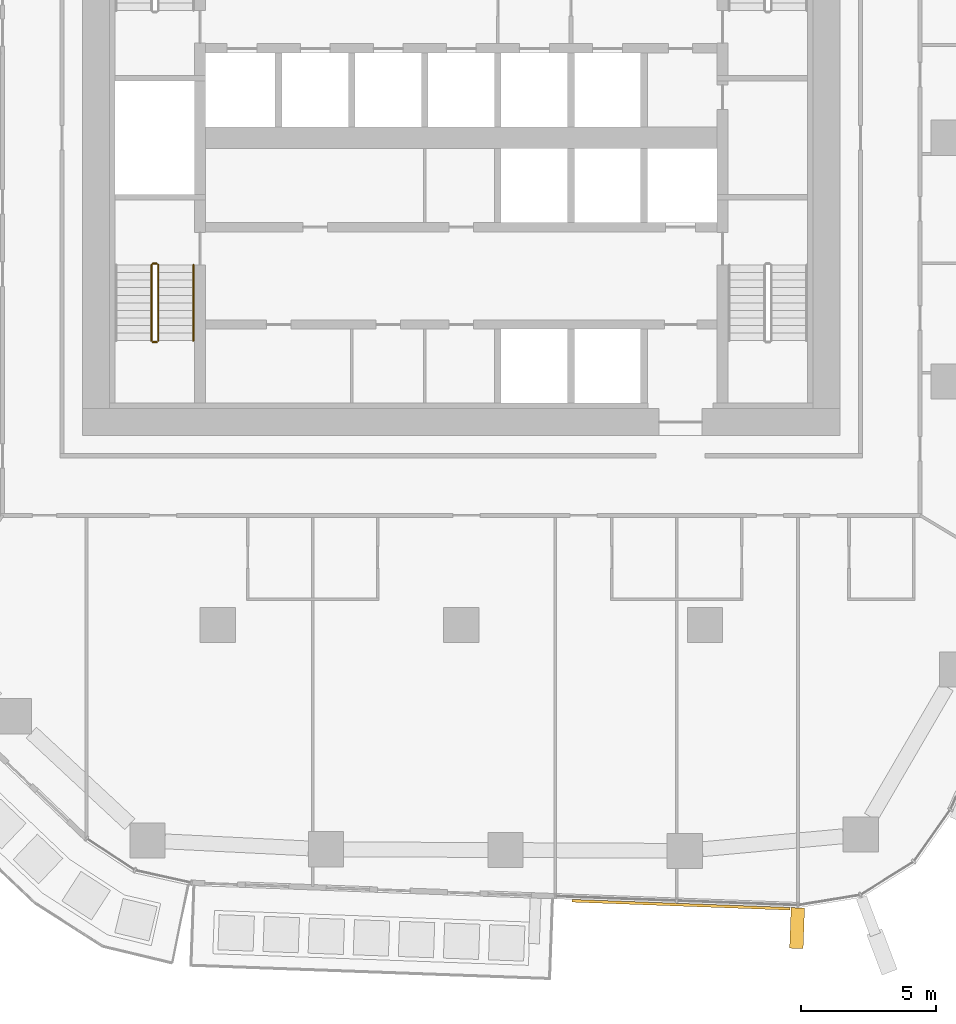
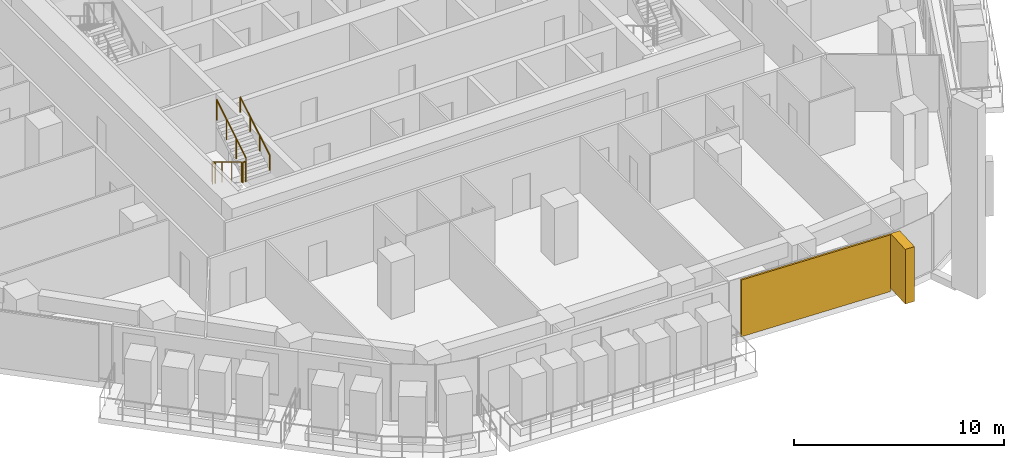
# One storey, part 20 of 24: 5 railings, 2 coverings, 1 element without a shape of its own.
"""IFC4 building model written with IfcOpenShell, lengths in metres."""

from ifc_helpers import new_model, si_unit, direction, frame, origin, origin_2d, place, context, subcontext, project, spatial, rectangle, circle, extrude, material, layer, layer_set, material_profile, profile_set, type_object, element, aggregate, save


model = new_model("IFC4")

# Units and contexts
model_context = context("Model", 3, precision=1e-05, world=origin(), true_north=direction((0.0, 1.0)))
body_context = subcontext(model_context, "Body", "Model", "MODEL_VIEW")
ifc_project = project(units=[si_unit("LENGTHUNIT", "METRE"), si_unit("AREAUNIT", "SQUARE_METRE"), si_unit("VOLUMEUNIT", "CUBIC_METRE"), si_unit("PLANEANGLEUNIT", "RADIAN"), si_unit("MASSUNIT", "GRAM", prefix="KILO")], contexts=[model_context])

# Site, building, storey
site_placement = place(None, origin())
site = spatial("IfcSite", under=ifc_project, at=site_placement, CompositionType="ELEMENT")
building_placement = place(site_placement, origin())
building = spatial("IfcBuilding", under=site, at=building_placement, Name="Dongbaek Canopy Tower", CompositionType="ELEMENT")
storey_placement = place(building_placement, frame((0.0, 0.0, 106.300048828125)))
storey = spatial("IfcBuildingStorey", under=building, at=storey_placement, Name="L22", CompositionType="ELEMENT", Elevation=106.300048828125)

# Curtain wall, coverings
ifc_material_1 = material(Name="Aluminium 6063-T6 pale anodised", Category="aluminium")
ifc_layer_1 = layer(ifc_material_1, 0.199951171875)
ifc_layer_set_1 = layer_set([ifc_layer_1], Name="CW-1 unitised tower curtain wall")
curtain_wall_type = type_object("IfcCurtainWallType", Name="CW-1 unitised tower curtain wall", PredefinedType="NOTDEFINED", material=ifc_layer_set_1)
curtain_wall_placement = place(storey_placement, origin())
curtain_wall = element("IfcCurtainWall", 1, at=curtain_wall_placement, inside=storey, type_object=curtain_wall_type, Name="CW-1 curtain wall F4.1", PredefinedType="NOTDEFINED")
ifc_material_2 = material(Name="Perforated aluminium 6063-T6 pale metal screen", Category="aluminium")
ifc_layer_2 = layer(ifc_material_2, 0.10009765625)
ifc_layer_set_2 = layer_set([ifc_layer_2], Name="Facet screen FS1 100 pale metal")
covering_type_1 = type_object("IfcCoveringType", Name="Facet screen FS1 100 pale metal", PredefinedType="CLADDING", material=ifc_layer_set_2)
covering_1_placement = place(storey_placement, frame((8.115966796875, -28.34130859375, 0.0), z_axis=(0.0, 0.0, 1.0), x_axis=(0.999319989509, -0.036872192324, 0.0)))
covering_1 = element("IfcCovering", 2, at=covering_1_placement, type_object=covering_type_1, Name="Facet screen L22 F4", PredefinedType="CLADDING", context=body_context, shape_type="SweptSolid", body=[
    extrude(rectangle(XDim=8.0625, YDim=0.10009765625, at=origin_2d()), origin(), (0.0, 0.0, 1.0), 3.300048828125),
])
ifc_material_3 = material(Name="Aluminium 6063-T6 pale metal fin", Category="aluminium")
ifc_material_profile = material_profile(ifc_material_3, rectangle(XDim=1.5, YDim=0.5, at=origin_2d()), Name="Fin FN1 500 x 1500 pale metal")
ifc_profile_set = profile_set([ifc_material_profile], Name="Aluminium 6063-T6 pale metal fin")
covering_type_2 = type_object("IfcCoveringType", Name="Fin FN1 500 x 1500 pale metal", PredefinedType="CLADDING", material=ifc_profile_set)
covering_2_placement = place(storey_placement, frame((12.408203125, -29.2041015625, 0.119873046875), z_axis=(0.0, 0.0, 1.0), x_axis=(-0.036872652499, -0.99931997253, 0.0)))
covering_2 = element("IfcCovering", 3, at=covering_2_placement, type_object=covering_type_2, Name="Fin F4.1.3", PredefinedType="CLADDING", context=body_context, shape_type="SweptSolid", body=[
    extrude(rectangle(XDim=1.5, YDim=0.5, at=origin_2d()), origin(), (0.0, 0.0, 1.0), 3.18017578125),
])
aggregate(curtain_wall, [covering_2, covering_1])

# Railings
ifc_material_4 = material(Name="Stainless steel tube and balusters", Category="steel")
railing_type_1 = type_object("IfcRailingType", Name="Stair guard 1200", PredefinedType="GUARDRAIL", material=ifc_material_4)
railing_1_placement = place(storey_placement, frame((-11.449951171875, -4.699951171875, 0.168212890625)))
element("IfcRailing", 4, at=railing_1_placement, inside=storey, type_object=railing_type_1, Name="L22 ST-D stair guard 1", PredefinedType="GUARDRAIL", context=body_context, shape_type="SweptSolid", body=[
    extrude(circle(Radius=0.02392578125, at=origin_2d()), frame((0.0, 0.0, 1.17578125), z_axis=(0.0, -0.857275202839, 0.514858452973), x_axis=(1.0, 0.0, 0.0)), (0.0, 0.0, 1.0), 3.26611328125),
    extrude(circle(Radius=0.02099609375, at=origin_2d()), origin(), (0.0, 0.0, 1.0), 1.15185546875),
    extrude(circle(Radius=0.02099609375, at=origin_2d()), frame((0.0, -0.933349609375, 0.560546875)), (0.0, 0.0, 1.0), 1.15185546875),
    extrude(circle(Radius=0.02099609375, at=origin_2d()), frame((0.0, -1.86669921875, 1.12109375)), (0.0, 0.0, 1.0), 1.15185546875),
    extrude(circle(Radius=0.02099609375, at=origin_2d()), frame((0.0, -2.800048828125, 1.681640625)), (0.0, 0.0, 1.0), 1.15185546875),
])
railing_2_placement = place(storey_placement, frame((-11.39990234375, -7.550048828125, 1.849853515625)))
element("IfcRailing", 5, at=railing_2_placement, inside=storey, type_object=railing_type_1, Name="L22 ST-D stair guard 2", PredefinedType="GUARDRAIL", context=body_context, shape_type="SweptSolid", body=[
    extrude(circle(Radius=0.02392578125, at=origin_2d()), frame((0.0, 0.0, 1.17578125), z_axis=(1.0, 0.0, 0.0), x_axis=(0.0, 1.0, 0.0)), (0.0, 0.0, 1.0), 0.14990234375),
    extrude(circle(Radius=0.02099609375, at=origin_2d()), origin(), (0.0, 0.0, 1.0), 1.15185546875),
    extrude(circle(Radius=0.02099609375, at=origin_2d()), frame((0.14990234375, 0.0, 0.0)), (0.0, 0.0, 1.0), 1.15185546875),
])
railing_3_placement = place(storey_placement, frame((-11.199951171875, -7.5, 2.01806640625)))
element("IfcRailing", 6, at=railing_3_placement, inside=storey, type_object=railing_type_1, Name="L22 ST-D stair guard 3", PredefinedType="GUARDRAIL", context=body_context, shape_type="SweptSolid", body=[
    extrude(circle(Radius=0.02392578125, at=origin_2d()), frame((0.0, 0.0, 1.17578125), z_axis=(0.0, 0.857242210791, 0.514913383045), x_axis=(-1.0, 0.0, 0.0)), (0.0, 0.0, 1.0), 3.266357421875),
    extrude(circle(Radius=0.02099609375, at=origin_2d()), origin(), (0.0, 0.0, 1.0), 1.15185546875),
    extrude(circle(Radius=0.02099609375, at=origin_2d()), frame((0.0, 0.933349609375, 0.560546875)), (0.0, 0.0, 1.0), 1.15185546875),
    extrude(circle(Radius=0.02099609375, at=origin_2d()), frame((0.0, 1.86669921875, 1.121337890625)), (0.0, 0.0, 1.0), 1.15185546875),
    extrude(circle(Radius=0.02099609375, at=origin_2d()), frame((0.0, 2.800048828125, 1.681884765625)), (0.0, 0.0, 1.0), 1.15185546875),
])
railing_4_placement = place(storey_placement, frame((-11.39990234375, -4.64990234375, 0.0)))
element("IfcRailing", 7, at=railing_4_placement, inside=storey, type_object=railing_type_1, Name="L22 ST-D stair guard 4", PredefinedType="GUARDRAIL", context=body_context, shape_type="SweptSolid", body=[
    extrude(circle(Radius=0.02392578125, at=origin_2d()), frame((0.0, 0.0, 1.17578125), z_axis=(1.0, 0.0, 0.0), x_axis=(0.0, 1.0, 0.0)), (0.0, 0.0, 1.0), 0.14990234375),
    extrude(circle(Radius=0.02099609375, at=origin_2d()), origin(), (0.0, 0.0, 1.0), 1.15185546875),
    extrude(circle(Radius=0.02099609375, at=origin_2d()), frame((0.14990234375, 0.0, 0.0)), (0.0, 0.0, 1.0), 1.15185546875),
])
ifc_material_5 = material(Name="Stainless steel tube", Category="steel")
railing_type_2 = type_object("IfcRailingType", Name="Stair handrail 900", PredefinedType="HANDRAIL", material=ifc_material_5)
railing_5_placement = place(storey_placement, frame((-9.89990234375, -7.5, 2.01806640625)))
element("IfcRailing", 8, at=railing_5_placement, inside=storey, type_object=railing_type_2, Name="L22 ST-D stair handrail 2", PredefinedType="HANDRAIL", context=body_context, shape_type="SweptSolid", body=[
    extrude(circle(Radius=0.02392578125, at=origin_2d()), frame((0.0, 0.0, 0.8759765625), z_axis=(0.0, 0.857242210791, 0.514913383045), x_axis=(-1.0, 0.0, 0.0)), (0.0, 0.0, 1.0), 3.266357421875),
    extrude(circle(Radius=0.02099609375, at=origin_2d()), origin(), (0.0, 0.0, 1.0), 0.851806640625),
    extrude(circle(Radius=0.02099609375, at=origin_2d()), frame((0.0, 0.933349609375, 0.560546875)), (0.0, 0.0, 1.0), 0.851806640625),
    extrude(circle(Radius=0.02099609375, at=origin_2d()), frame((0.0, 1.86669921875, 1.121337890625)), (0.0, 0.0, 1.0), 0.851806640625),
    extrude(circle(Radius=0.02099609375, at=origin_2d()), frame((0.0, 2.800048828125, 1.681884765625)), (0.0, 0.0, 1.0), 0.851806640625),
])

save(model, "model.ifc")
